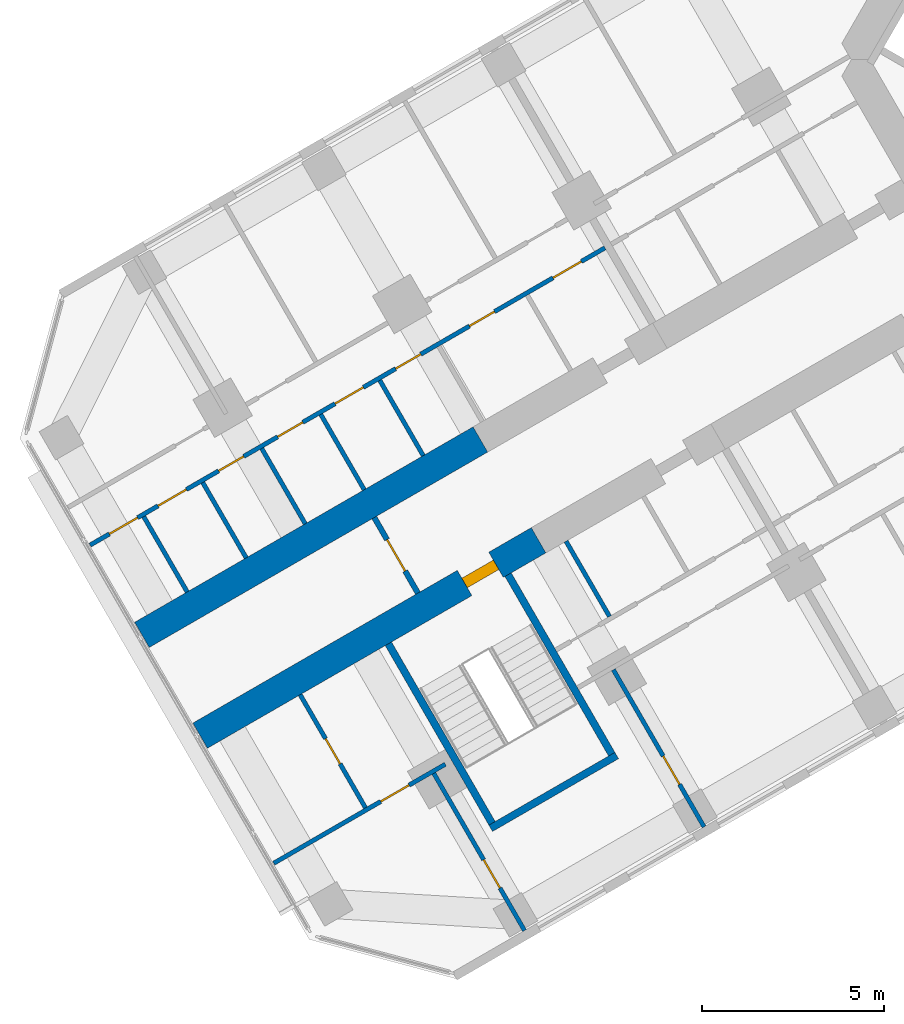
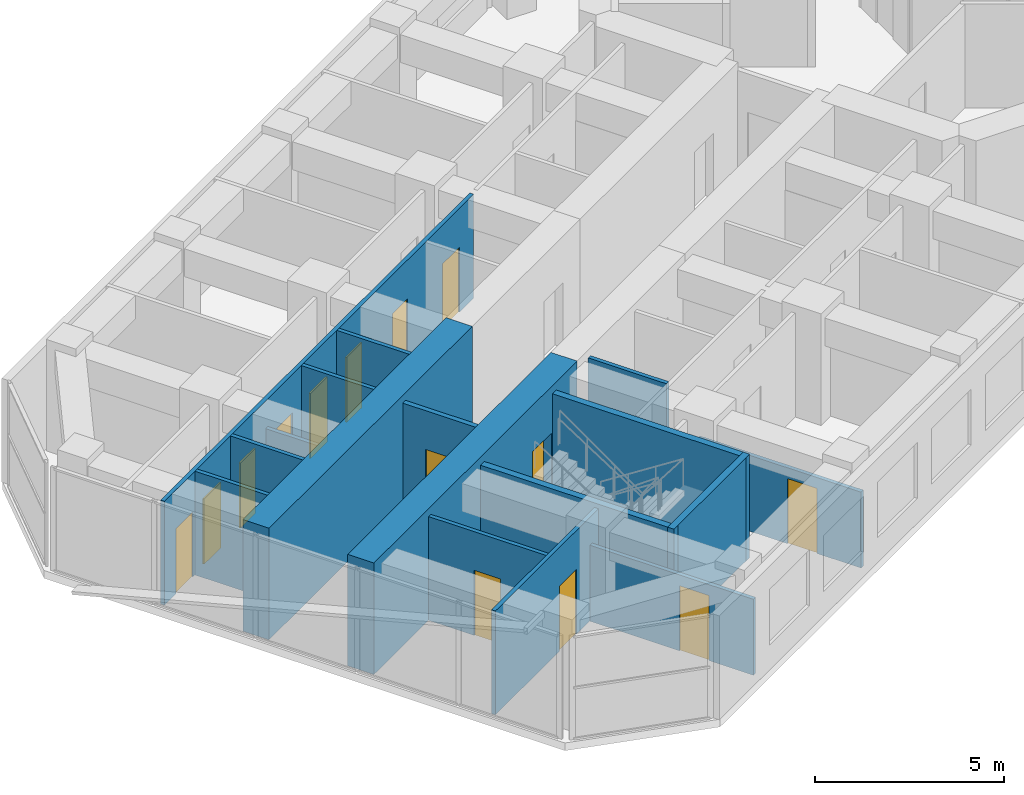
# One storey, part 10 of 19: 17 walls, 14 doors, 14 openings.
"""IFC4 building model written with IfcOpenShell, lengths in metres."""

from ifc_helpers import new_model, si_unit, direction, frame, frame_2d, origin, place, context, subcontext, project, spatial, rectangle, extrude, material, layer, layer_set, type_object, element, fill, save


model = new_model("IFC4")

# Units and contexts
model_context = context("Model", 3, precision=1e-05, world=origin(), true_north=direction((0.0, 1.0)))
body_context = subcontext(model_context, "Body", "Model", "MODEL_VIEW")
ifc_project = project(units=[si_unit("LENGTHUNIT", "METRE"), si_unit("AREAUNIT", "SQUARE_METRE"), si_unit("VOLUMEUNIT", "CUBIC_METRE"), si_unit("PLANEANGLEUNIT", "RADIAN"), si_unit("MASSUNIT", "GRAM", prefix="KILO")], contexts=[model_context])

# Site, building, storey
site_placement = place(None, origin())
site = spatial("IfcSite", under=ifc_project, at=site_placement, CompositionType="ELEMENT")
building_placement = place(site_placement, origin())
building = spatial("IfcBuilding", under=site, at=building_placement, Name="Kosmar Iwan School Tower", CompositionType="ELEMENT")
storey_placement = place(building_placement, frame((0.0, 0.0, 161.60009765625)))
storey = spatial("IfcBuildingStorey", under=building, at=storey_placement, Name="L40", CompositionType="ELEMENT", Elevation=161.60009765625)

# Wall, opening, door
ifc_material_1 = material(Name="Concrete C50/60", Category="concrete")
ifc_layer_1 = layer(ifc_material_1, 0.800048828125)
ifc_layer_set_1 = layer_set([ifc_layer_1], Name="Corridor buttress wall 800")
wall_type_1 = type_object("IfcWallType", Name="Corridor buttress wall 800", PredefinedType="SHEAR", material=ifc_layer_set_1)
wall_1_placement = place(storey_placement, frame((-19.681396484375, -13.210693359375, 0.0), z_axis=(0.0, 0.0, 1.0), x_axis=(-0.866028186671, -0.499995179869, 0.0)))
wall_1 = element("IfcWall", 1, at=wall_1_placement, inside=storey, type_object=wall_type_1, Name="Corridor wall BL bay 3", PredefinedType="SHEAR", context=body_context, shape_type="SweptSolid", body=[
    extrude(rectangle(XDim=10.7451171875, YDim=0.800048828125, at=frame_2d((5.37255859375, 0.0))), origin(), (0.0, 0.0, 1.0), 3.599853515625),
])
opening_1_placement = place(wall_1_placement, frame((1.35009765625, 0.0, 0.0)))
opening_1 = element("IfcOpeningElement", 2, at=opening_1_placement, cuts=wall_1, Name="Opening D6", PredefinedType="OPENING", context=body_context, shape_type="SweptSolid", body=[
    extrude(rectangle(XDim=1.0, YDim=2.10009765625, at=frame_2d((0.5, 1.050048828125))), frame((0.0, 0.412109375, 0.0), z_axis=(0.0, -1.0, 0.0), x_axis=(1.0, 0.0, 0.0)), (0.0, 0.0, 1.0), 0.823974609375),
])
ifc_material_2 = material(Name="Steel fire door", Category="steel")
door_type_1 = type_object("IfcDoorType", Name="Stair door 1000x2100", OperationType="SINGLE_SWING_LEFT", PredefinedType="DOOR", material=ifc_material_2)
door_1_placement = place(opening_1_placement, origin())
door_1 = element("IfcDoor", 3, at=door_1_placement, inside=storey, type_object=door_type_1, Name="Stair WS2 door L40", OperationType="SINGLE_SWING_LEFT", OverallHeight=2.10009765625, OverallWidth=1.0, PredefinedType="DOOR", context=body_context, shape_type="SweptSolid", body=[
    extrude(rectangle(XDim=1.0, YDim=2.10009765625, at=frame_2d((0.5, 1.050048828125))), frame((0.0, 0.14990234375, 0.0), z_axis=(0.0, -1.0, 0.0), x_axis=(1.0, 0.0, 0.0)), (0.0, 0.0, 1.0), 0.300048828125),
])
fill(opening_1, door_1)

# Wall
wall_2_placement = place(storey_placement, frame((-21.281494140625, -10.439453125, 0.0), z_axis=(0.0, 0.0, 1.0), x_axis=(-0.866032345022, -0.499987977232, 0.0)))
element("IfcWall", 4, at=wall_2_placement, inside=storey, type_object=wall_type_1, Name="Corridor wall BR bay 3", PredefinedType="SHEAR", context=body_context, shape_type="SweptSolid", body=[
    extrude(rectangle(XDim=10.744873046875, YDim=0.800048828125, at=frame_2d((5.37255859375, 0.0))), origin(), (0.0, 0.0, 1.0), 3.599853515625),
])

# Wall, opening, door
ifc_material_3 = material(Name="Gypsum board on steel studs, fire-rated", Category="steel")
ifc_layer_2 = layer(ifc_material_3, 0.14990234375)
ifc_layer_set_2 = layer_set([ifc_layer_2], Name="Corridor end wall 150")
wall_type_2 = type_object("IfcWallType", Name="Corridor end wall 150", PredefinedType="PARTITIONING", material=ifc_layer_set_2)
wall_3_placement = place(storey_placement, frame((-24.19921875, -12.585693359375, 0.0), z_axis=(0.0, 0.0, 1.0), x_axis=(0.499957262057, -0.866050077142, 0.0)))
wall_3 = element("IfcWall", 5, at=wall_3_placement, inside=storey, type_object=wall_type_2, Name="Partition L40-B-CE", PredefinedType="PARTITIONING", context=body_context, shape_type="SweptSolid", body=[
    extrude(rectangle(XDim=2.400146484375, YDim=0.14990234375, at=frame_2d((1.2001953125, 0.0))), origin(), (0.0, 0.0, 1.0), 3.349853515625),
])
opening_2_placement = place(wall_3_placement, frame((0.699951171875, 0.0, 0.0)))
opening_2 = element("IfcOpeningElement", 6, at=opening_2_placement, cuts=wall_3, Name="Opening D13", PredefinedType="OPENING", context=body_context, shape_type="SweptSolid", body=[
    extrude(rectangle(XDim=1.0, YDim=2.10009765625, at=frame_2d((0.5, 1.050048828125))), frame((0.0, 0.0869140625, 0.0), z_axis=(0.0, -1.0, 0.0), x_axis=(1.0, 0.0, 0.0)), (0.0, 0.0, 1.0), 0.173828125),
])
ifc_material_4 = material(Name="Timber fire door with vision panel", Category="wood")
door_type_2 = type_object("IfcDoorType", Name="Corridor end door 1000x2100", OperationType="SINGLE_SWING_LEFT", PredefinedType="DOOR", material=ifc_material_4)
door_2_placement = place(opening_2_placement, origin())
door_2 = element("IfcDoor", 7, at=door_2_placement, inside=storey, type_object=door_type_2, Name="Laundry and drying room door L40-B", OperationType="SINGLE_SWING_RIGHT", OverallHeight=2.10009765625, OverallWidth=1.0, PredefinedType="DOOR", context=body_context, shape_type="SweptSolid", body=[
    extrude(rectangle(XDim=1.0, YDim=2.10009765625, at=frame_2d((0.5, 1.050048828125))), frame((0.0, 0.02490234375, 0.0), z_axis=(0.0, -1.0, 0.0), x_axis=(1.0, 0.0, 0.0)), (0.0, 0.0, 1.0), 0.050048828125),
])
fill(opening_2, door_2)

# Wall
ifc_material_5 = material(Name="Gypsum board on steel studs", Category="steel")
ifc_layer_3 = layer(ifc_material_5, 0.1201171875)
ifc_layer_set_3 = layer_set([ifc_layer_3], Name="Dwelling partition 120")
wall_type_3 = type_object("IfcWallType", Name="Dwelling partition 120", PredefinedType="PARTITIONING", material=ifc_layer_set_3)
wall_4_placement = place(storey_placement, frame((-18.92724609375, -13.237060546875, 0.0), z_axis=(0.0, 0.0, 1.0), x_axis=(0.500017192868, -0.86601547725, 0.0)))
element("IfcWall", 8, at=wall_4_placement, inside=storey, type_object=wall_type_3, Name="Partition L40-BL2-Y2", PredefinedType="PARTITIONING", context=body_context, shape_type="SweptSolid", body=[
    extrude(rectangle(XDim=2.39013671875, YDim=0.1201171875, at=frame_2d((1.195068359375, 0.0))), origin(), (0.0, 0.0, 1.0), 3.349853515625),
])

# Wall, opening, door
wall_5_placement = place(storey_placement, frame((-17.62646484375, -16.77001953125, 0.0), z_axis=(0.0, 0.0, 1.0), x_axis=(0.499975153383, -0.86603974851, 0.0)))
wall_5 = element("IfcWall", 9, at=wall_5_placement, inside=storey, type_object=wall_type_3, Name="Partition L40-BL2-TB", PredefinedType="PARTITIONING", context=body_context, shape_type="SweptSolid", body=[
    extrude(rectangle(XDim=4.989990234375, YDim=0.1201171875, at=frame_2d((2.4951171875, 0.0))), origin(), (0.0, 0.0, 1.0), 2.449951171875),
])
opening_3_placement = place(wall_5_placement, frame((2.739990234375, 0.0, 0.0)))
opening_3 = element("IfcOpeningElement", 10, at=opening_3_placement, cuts=wall_5, Name="Opening D2", PredefinedType="OPENING", context=body_context, shape_type="SweptSolid", body=[
    extrude(rectangle(XDim=0.89990234375, YDim=2.10009765625, at=frame_2d((0.449951171875, 1.050048828125))), frame((0.0, 0.072021484375, 0.0), z_axis=(0.0, -1.0, 0.0), x_axis=(1.0, 0.0, 0.0)), (0.0, 0.0, 1.0), 0.14404296875),
])
ifc_material_6 = material(Name="Timber door in timber frame", Category="wood")
door_type_3 = type_object("IfcDoorType", Name="Internal door 900x2100", OperationType="SINGLE_SWING_LEFT", PredefinedType="DOOR", material=ifc_material_6)
door_3_placement = place(opening_3_placement, origin())
door_3 = element("IfcDoor", 11, at=door_3_placement, inside=storey, type_object=door_type_3, Name="Study door L40-BL2-F1", OperationType="SINGLE_SWING_RIGHT", OverallHeight=2.10009765625, OverallWidth=0.89990234375, PredefinedType="DOOR", context=body_context, shape_type="SweptSolid", body=[
    extrude(rectangle(XDim=0.89990234375, YDim=2.10009765625, at=frame_2d((0.449951171875, 1.050048828125))), frame((0.0, 0.02490234375, 0.0), z_axis=(0.0, -1.0, 0.0), x_axis=(1.0, 0.0, 0.0)), (0.0, 0.0, 1.0), 0.050048828125),
])
fill(opening_3, door_3)

wall_6_placement = place(storey_placement, frame((-22.562744140625, -19.6201171875, 0.0), z_axis=(0.0, 0.0, 1.0), x_axis=(0.499996339024, -0.86602751744, 0.0)))
wall_6 = element("IfcWall", 12, at=wall_6_placement, inside=storey, type_object=wall_type_3, Name="Partition L40-BL2-TX", PredefinedType="PARTITIONING", context=body_context, shape_type="SweptSolid", body=[
    extrude(rectangle(XDim=4.98974609375, YDim=0.1201171875, at=frame_2d((2.494873046875, 0.0))), origin(), (0.0, 0.0, 1.0), 2.449951171875),
])
opening_4_placement = place(wall_6_placement, frame((2.739990234375, 0.0, 0.0)))
opening_4 = element("IfcOpeningElement", 13, at=opening_4_placement, cuts=wall_6, Name="Opening D2", PredefinedType="OPENING", context=body_context, shape_type="SweptSolid", body=[
    extrude(rectangle(XDim=0.89990234375, YDim=2.10009765625, at=frame_2d((0.449951171875, 1.050048828125))), frame((0.0, 0.072021484375, 0.0), z_axis=(0.0, -1.0, 0.0), x_axis=(1.0, 0.0, 0.0)), (0.0, 0.0, 1.0), 0.14404296875),
])
door_4_placement = place(opening_4_placement, origin())
door_4 = element("IfcDoor", 14, at=door_4_placement, inside=storey, type_object=door_type_3, Name="Study door L40-BL2-T1", OperationType="SINGLE_SWING_RIGHT", OverallHeight=2.10009765625, OverallWidth=0.89990234375, PredefinedType="DOOR", context=body_context, shape_type="SweptSolid", body=[
    extrude(rectangle(XDim=0.89990234375, YDim=2.10009765625, at=frame_2d((0.449951171875, 1.050048828125))), frame((0.0, 0.02490234375, 0.0), z_axis=(0.0, -1.0, 0.0), x_axis=(1.0, 0.0, 0.0)), (0.0, 0.0, 1.0), 0.050048828125),
])
fill(opening_4, door_4)

wall_7_placement = place(storey_placement, frame((-22.246337890625, -19.3681640625, 0.0), z_axis=(0.0, 0.0, 1.0), x_axis=(-0.866035508231, -0.499982498177, 0.0)))
wall_7 = element("IfcWall", 15, at=wall_7_placement, inside=storey, type_object=wall_type_3, Name="Partition L40-BL2-TW", PredefinedType="PARTITIONING", context=body_context, shape_type="SweptSolid", body=[
    extrude(rectangle(XDim=5.445068359375, YDim=0.1201171875, at=frame_2d((2.72265625, 0.0))), origin(), (0.0, 0.0, 1.0), 3.349853515625),
])
opening_5_placement = place(wall_7_placement, frame((1.14990234375, 0.0, 0.0)))
opening_5 = element("IfcOpeningElement", 16, at=opening_5_placement, cuts=wall_7, Name="Opening D2", PredefinedType="OPENING", context=body_context, shape_type="SweptSolid", body=[
    extrude(rectangle(XDim=0.89990234375, YDim=2.10009765625, at=frame_2d((0.449951171875, 1.050048828125))), frame((0.0, 0.072021484375, 0.0), z_axis=(0.0, -1.0, 0.0), x_axis=(1.0, 0.0, 0.0)), (0.0, 0.0, 1.0), 0.14404296875),
])
door_5_placement = place(opening_5_placement, origin())
door_5 = element("IfcDoor", 17, at=door_5_placement, inside=storey, type_object=door_type_3, Name="Dressing room door L40-BL2-T3", OperationType="SINGLE_SWING_LEFT", OverallHeight=2.10009765625, OverallWidth=0.89990234375, PredefinedType="DOOR", context=body_context, shape_type="SweptSolid", body=[
    extrude(rectangle(XDim=0.89990234375, YDim=2.10009765625, at=frame_2d((0.449951171875, 1.050048828125))), frame((0.0, 0.02490234375, 0.0), z_axis=(0.0, -1.0, 0.0), x_axis=(1.0, 0.0, 0.0)), (0.0, 0.0, 1.0), 0.050048828125),
])
fill(opening_5, door_5)

wall_8_placement = place(storey_placement, frame((-26.236572265625, -17.45703125, 0.0), z_axis=(0.0, 0.0, 1.0), x_axis=(0.50002266109, -0.866012320003, 0.0)))
wall_8 = element("IfcWall", 18, at=wall_8_placement, inside=storey, type_object=wall_type_3, Name="Partition L40-BL2-TY", PredefinedType="PARTITIONING", context=body_context, shape_type="SweptSolid", body=[
    extrude(rectangle(XDim=3.590087890625, YDim=0.1201171875, at=frame_2d((1.794921875, 0.0))), origin(), (0.0, 0.0, 1.0), 3.349853515625),
])
opening_6_placement = place(wall_8_placement, frame((1.39501953125, 0.0, 0.0)))
opening_6 = element("IfcOpeningElement", 19, at=opening_6_placement, cuts=wall_8, Name="Opening D3", PredefinedType="OPENING", context=body_context, shape_type="SweptSolid", body=[
    extrude(rectangle(XDim=0.800048828125, YDim=2.10009765625, at=frame_2d((0.39990234375, 1.050048828125))), frame((0.0, 0.072021484375, 0.0), z_axis=(0.0, -1.0, 0.0), x_axis=(1.0, 0.0, 0.0)), (0.0, 0.0, 1.0), 0.14404296875),
])
ifc_material_7 = material(Name="Timber door in timber frame", Category="wood")
door_type_4 = type_object("IfcDoorType", Name="Sanitary room door 800x2100", OperationType="SINGLE_SWING_LEFT", PredefinedType="DOOR", material=ifc_material_7)
door_6_placement = place(opening_6_placement, origin())
door_6 = element("IfcDoor", 20, at=door_6_placement, inside=storey, type_object=door_type_4, Name="Shower room door L40-BL2-T4", OperationType="SINGLE_SWING_LEFT", OverallHeight=2.10009765625, OverallWidth=0.800048828125, PredefinedType="DOOR", context=body_context, shape_type="SweptSolid", body=[
    extrude(rectangle(XDim=0.800048828125, YDim=2.10009765625, at=frame_2d((0.39990234375, 1.050048828125))), frame((0.0, 0.02490234375, 0.0), z_axis=(0.0, -1.0, 0.0), x_axis=(1.0, 0.0, 0.0)), (0.0, 0.0, 1.0), 0.050048828125),
])
fill(opening_6, door_6)

# Wall, openings, doors
wall_9_placement = place(storey_placement, frame((-17.856689453125, -5.171142578125, 0.0), z_axis=(0.0, 0.0, 1.0), x_axis=(-0.866023907196, -0.500002592159, 0.0)))
wall_9 = element("IfcWall", 21, at=wall_9_placement, inside=storey, type_object=wall_type_3, Name="Partition L40-BR2-W1", PredefinedType="PARTITIONING", context=body_context, shape_type="SweptSolid", body=[
    extrude(rectangle(XDim=16.34521484375, YDim=0.1201171875, at=frame_2d((8.172607421875, 0.0))), origin(), (0.0, 0.0, 1.0), 3.349853515625),
])
opening_7_placement = place(wall_9_placement, frame((0.75, 0.0, 0.0)))
opening_7 = element("IfcOpeningElement", 22, at=opening_7_placement, cuts=wall_9, Name="Opening D2", PredefinedType="OPENING", context=body_context, shape_type="SweptSolid", body=[
    extrude(rectangle(XDim=0.89990234375, YDim=2.10009765625, at=frame_2d((0.449951171875, 1.050048828125))), frame((0.0, 0.072021484375, 0.0), z_axis=(0.0, -1.0, 0.0), x_axis=(1.0, 0.0, 0.0)), (0.0, 0.0, 1.0), 0.14404296875),
])
opening_8_placement = place(wall_9_placement, frame((3.505126953125, 0.0, 0.0)))
opening_8 = element("IfcOpeningElement", 23, at=opening_8_placement, cuts=wall_9, Name="Opening D3", PredefinedType="OPENING", context=body_context, shape_type="SweptSolid", body=[
    extrude(rectangle(XDim=0.800048828125, YDim=2.10009765625, at=frame_2d((0.39990234375, 1.050048828125))), frame((0.0, 0.072021484375, 0.0), z_axis=(0.0, -1.0, 0.0), x_axis=(1.0, 0.0, 0.0)), (0.0, 0.0, 1.0), 0.14404296875),
])
opening_9_placement = place(wall_9_placement, frame((5.8466796875, 0.0, 0.0)))
opening_9 = element("IfcOpeningElement", 24, at=opening_9_placement, cuts=wall_9, Name="Opening D3", PredefinedType="OPENING", context=body_context, shape_type="SweptSolid", body=[
    extrude(rectangle(XDim=0.800048828125, YDim=2.10009765625, at=frame_2d((0.39990234375, 1.050048828125))), frame((0.0, 0.072021484375, 0.0), z_axis=(0.0, -1.0, 0.0), x_axis=(1.0, 0.0, 0.0)), (0.0, 0.0, 1.0), 0.14404296875),
])
opening_10_placement = place(wall_9_placement, frame((7.669921875, 0.0, 0.0)))
opening_10 = element("IfcOpeningElement", 25, at=opening_10_placement, cuts=wall_9, Name="Opening D2", PredefinedType="OPENING", context=body_context, shape_type="SweptSolid", body=[
    extrude(rectangle(XDim=0.89990234375, YDim=2.10009765625, at=frame_2d((0.449951171875, 1.050048828125))), frame((0.0, 0.072021484375, 0.0), z_axis=(0.0, -1.0, 0.0), x_axis=(1.0, 0.0, 0.0)), (0.0, 0.0, 1.0), 0.14404296875),
])
opening_11_placement = place(wall_9_placement, frame((9.59326171875, 0.0, 0.0)))
opening_11 = element("IfcOpeningElement", 26, at=opening_11_placement, cuts=wall_9, Name="Opening D3", PredefinedType="OPENING", context=body_context, shape_type="SweptSolid", body=[
    extrude(rectangle(XDim=0.800048828125, YDim=2.10009765625, at=frame_2d((0.39990234375, 1.050048828125))), frame((0.0, 0.072021484375, 0.0), z_axis=(0.0, -1.0, 0.0), x_axis=(1.0, 0.0, 0.0)), (0.0, 0.0, 1.0), 0.14404296875),
])
opening_12_placement = place(wall_9_placement, frame((11.466796875, 0.0, 0.0)))
opening_12 = element("IfcOpeningElement", 27, at=opening_12_placement, cuts=wall_9, Name="Opening D3", PredefinedType="OPENING", context=body_context, shape_type="SweptSolid", body=[
    extrude(rectangle(XDim=0.800048828125, YDim=2.10009765625, at=frame_2d((0.39990234375, 1.050048828125))), frame((0.0, 0.072021484375, 0.0), z_axis=(0.0, -1.0, 0.0), x_axis=(1.0, 0.0, 0.0)), (0.0, 0.0, 1.0), 0.14404296875),
])
opening_13_placement = place(wall_9_placement, frame((13.2900390625, 0.0, 0.0)))
opening_13 = element("IfcOpeningElement", 28, at=opening_13_placement, cuts=wall_9, Name="Opening D2", PredefinedType="OPENING", context=body_context, shape_type="SweptSolid", body=[
    extrude(rectangle(XDim=0.89990234375, YDim=2.10009765625, at=frame_2d((0.449951171875, 1.050048828125))), frame((0.0, 0.072021484375, 0.0), z_axis=(0.0, -1.0, 0.0), x_axis=(1.0, 0.0, 0.0)), (0.0, 0.0, 1.0), 0.14404296875),
])
opening_14_placement = place(wall_9_placement, frame((14.836669921875, 0.0, 0.0)))
opening_14 = element("IfcOpeningElement", 29, at=opening_14_placement, cuts=wall_9, Name="Opening D2", PredefinedType="OPENING", context=body_context, shape_type="SweptSolid", body=[
    extrude(rectangle(XDim=0.89990234375, YDim=2.10009765625, at=frame_2d((0.449951171875, 1.050048828125))), frame((0.0, 0.072021484375, 0.0), z_axis=(0.0, -1.0, 0.0), x_axis=(1.0, 0.0, 0.0)), (0.0, 0.0, 1.0), 0.14404296875),
])
door_7_placement = place(opening_7_placement, origin())
door_7 = element("IfcDoor", 30, at=door_7_placement, inside=storey, type_object=door_type_3, Name="Entrance hall door L40-BR2-S1", OperationType="SINGLE_SWING_RIGHT", OverallHeight=2.10009765625, OverallWidth=0.89990234375, PredefinedType="DOOR", context=body_context, shape_type="SweptSolid", body=[
    extrude(rectangle(XDim=0.89990234375, YDim=2.10009765625, at=frame_2d((0.449951171875, 1.050048828125))), frame((0.0, 0.02490234375, 0.0), z_axis=(0.0, -1.0, 0.0), x_axis=(1.0, 0.0, 0.0)), (0.0, 0.0, 1.0), 0.050048828125),
])
fill(opening_7, door_7)
door_8_placement = place(opening_10_placement, origin())
door_8 = element("IfcDoor", 31, at=door_8_placement, inside=storey, type_object=door_type_3, Name="Pantry door L40-BR2-S4", OperationType="SINGLE_SWING_LEFT", OverallHeight=2.10009765625, OverallWidth=0.89990234375, PredefinedType="DOOR", context=body_context, shape_type="SweptSolid", body=[
    extrude(rectangle(XDim=0.89990234375, YDim=2.10009765625, at=frame_2d((0.449951171875, 1.050048828125))), frame((0.0, 0.02490234375, 0.0), z_axis=(0.0, -1.0, 0.0), x_axis=(1.0, 0.0, 0.0)), (0.0, 0.0, 1.0), 0.050048828125),
])
fill(opening_10, door_8)
door_9_placement = place(opening_13_placement, origin())
door_9 = element("IfcDoor", 32, at=door_9_placement, inside=storey, type_object=door_type_3, Name="Utility room door L40-BR2-S7", OperationType="SINGLE_SWING_RIGHT", OverallHeight=2.10009765625, OverallWidth=0.89990234375, PredefinedType="DOOR", context=body_context, shape_type="SweptSolid", body=[
    extrude(rectangle(XDim=0.89990234375, YDim=2.10009765625, at=frame_2d((0.449951171875, 1.050048828125))), frame((0.0, 0.02490234375, 0.0), z_axis=(0.0, -1.0, 0.0), x_axis=(1.0, 0.0, 0.0)), (0.0, 0.0, 1.0), 0.050048828125),
])
fill(opening_13, door_9)
door_10_placement = place(opening_14_placement, origin())
door_10 = element("IfcDoor", 33, at=door_10_placement, inside=storey, type_object=door_type_3, Name="Dressing room door L40-BR2-S8", OperationType="SINGLE_SWING_LEFT", OverallHeight=2.10009765625, OverallWidth=0.89990234375, PredefinedType="DOOR", context=body_context, shape_type="SweptSolid", body=[
    extrude(rectangle(XDim=0.89990234375, YDim=2.10009765625, at=frame_2d((0.449951171875, 1.050048828125))), frame((0.0, 0.02490234375, 0.0), z_axis=(0.0, -1.0, 0.0), x_axis=(1.0, 0.0, 0.0)), (0.0, 0.0, 1.0), 0.050048828125),
])
fill(opening_14, door_10)
door_11_placement = place(opening_8_placement, origin())
door_11 = element("IfcDoor", 34, at=door_11_placement, inside=storey, type_object=door_type_4, Name="Bathroom door L40-BR2-S2", OperationType="SINGLE_SWING_LEFT", OverallHeight=2.10009765625, OverallWidth=0.800048828125, PredefinedType="DOOR", context=body_context, shape_type="SweptSolid", body=[
    extrude(rectangle(XDim=0.800048828125, YDim=2.10009765625, at=frame_2d((0.39990234375, 1.050048828125))), frame((0.0, 0.02490234375, 0.0), z_axis=(0.0, -1.0, 0.0), x_axis=(1.0, 0.0, 0.0)), (0.0, 0.0, 1.0), 0.050048828125),
])
fill(opening_8, door_11)
door_12_placement = place(opening_9_placement, origin())
door_12 = element("IfcDoor", 35, at=door_12_placement, inside=storey, type_object=door_type_4, Name="Shower room door L40-BR2-S3", OperationType="SINGLE_SWING_RIGHT", OverallHeight=2.10009765625, OverallWidth=0.800048828125, PredefinedType="DOOR", context=body_context, shape_type="SweptSolid", body=[
    extrude(rectangle(XDim=0.800048828125, YDim=2.10009765625, at=frame_2d((0.39990234375, 1.050048828125))), frame((0.0, 0.02490234375, 0.0), z_axis=(0.0, -1.0, 0.0), x_axis=(1.0, 0.0, 0.0)), (0.0, 0.0, 1.0), 0.050048828125),
])
fill(opening_9, door_12)
door_13_placement = place(opening_11_placement, origin())
door_13 = element("IfcDoor", 36, at=door_13_placement, inside=storey, type_object=door_type_4, Name="WC door L40-BR2-S5", OperationType="SINGLE_SWING_RIGHT", OverallHeight=2.10009765625, OverallWidth=0.800048828125, PredefinedType="DOOR", context=body_context, shape_type="SweptSolid", body=[
    extrude(rectangle(XDim=0.800048828125, YDim=2.10009765625, at=frame_2d((0.39990234375, 1.050048828125))), frame((0.0, 0.02490234375, 0.0), z_axis=(0.0, -1.0, 0.0), x_axis=(1.0, 0.0, 0.0)), (0.0, 0.0, 1.0), 0.050048828125),
])
fill(opening_11, door_13)
door_14_placement = place(opening_12_placement, origin())
door_14 = element("IfcDoor", 37, at=door_14_placement, inside=storey, type_object=door_type_4, Name="Store door L40-BR2-S6", OperationType="SINGLE_SWING_LEFT", OverallHeight=2.10009765625, OverallWidth=0.800048828125, PredefinedType="DOOR", context=body_context, shape_type="SweptSolid", body=[
    extrude(rectangle(XDim=0.800048828125, YDim=2.10009765625, at=frame_2d((0.39990234375, 1.050048828125))), frame((0.0, 0.02490234375, 0.0), z_axis=(0.0, -1.0, 0.0), x_axis=(1.0, 0.0, 0.0)), (0.0, 0.0, 1.0), 0.050048828125),
])
fill(opening_12, door_14)

# Walls
wall_10_placement = place(storey_placement, frame((-22.852783203125, -10.884521484375, 0.0), z_axis=(0.0, 0.0, 1.0), x_axis=(-0.499940577336, 0.866059708757, 0.0)))
element("IfcWall", 38, at=wall_10_placement, inside=storey, type_object=wall_type_3, Name="Partition L40-BR2-Y3", PredefinedType="PARTITIONING", context=body_context, shape_type="SweptSolid", body=[
    extrude(rectangle(XDim=2.389892578125, YDim=0.1201171875, at=frame_2d((1.19482421875, 0.0))), origin(), (0.0, 0.0, 1.0), 3.349853515625),
])
wall_11_placement = place(storey_placement, frame((-24.47509765625, -11.8212890625, 0.0), z_axis=(0.0, 0.0, 1.0), x_axis=(-0.500017192868, 0.86601547725, 0.0)))
element("IfcWall", 39, at=wall_11_placement, inside=storey, type_object=wall_type_3, Name="Partition L40-BR2-Y4", PredefinedType="PARTITIONING", context=body_context, shape_type="SweptSolid", body=[
    extrude(rectangle(XDim=2.39013671875, YDim=0.1201171875, at=frame_2d((1.195068359375, 0.0))), origin(), (0.0, 0.0, 1.0), 3.349853515625),
])
wall_12_placement = place(storey_placement, frame((-26.097412109375, -12.758056640625, 0.0), z_axis=(0.0, 0.0, 1.0), x_axis=(-0.500017192868, 0.86601547725, 0.0)))
element("IfcWall", 40, at=wall_12_placement, inside=storey, type_object=wall_type_3, Name="Partition L40-BR2-Y5", PredefinedType="PARTITIONING", context=body_context, shape_type="SweptSolid", body=[
    extrude(rectangle(XDim=2.39013671875, YDim=0.1201171875, at=frame_2d((1.195068359375, 0.0))), origin(), (0.0, 0.0, 1.0), 2.449951171875),
])
for number, where, z_axis, x_axis, name in (
    (41, (-27.7197265625, -13.694580078125, 0.0), (0.0, 0.0, 1.0), (-0.500017192868, 0.86601547725, 0.0), "Partition L40-BR2-Y6"),
    (42, (-29.342041015625, -14.63134765625, 0.0), (0.0, 0.0, 1.0), (-0.500017192868, 0.86601547725, 0.0), "Partition L40-BR2-Y7"),
):
    element("IfcWall", number, at=place(storey_placement, frame(where, z_axis=z_axis, x_axis=x_axis)), inside=storey, type_object=wall_type_3, Name=name, PredefinedType="PARTITIONING", context=body_context, shape_type="SweptSolid", body=[
        extrude(rectangle(XDim=2.39013671875, YDim=0.1201171875, at=frame_2d((1.195068359375, 0.0))), origin(), (0.0, 0.0, 1.0), 3.349853515625),
    ])
ifc_material_8 = material(Name="Concrete C35/45", Category="concrete")
ifc_layer_4 = layer(ifc_material_8, 0.199951171875)
ifc_layer_set_4 = layer_set([ifc_layer_4], Name="Escape stair wall 200")
wall_type_4 = type_object("IfcWallType", Name="Escape stair wall 200", PredefinedType="SHEAR", material=ifc_layer_set_4)
wall_13_placement = place(storey_placement, frame((-20.520751953125, -14.156982421875, 0.0), z_axis=(0.0, 0.0, 1.0), x_axis=(0.499988710057, -0.866031921938, 0.0)))
element("IfcWall", 43, at=wall_13_placement, inside=storey, type_object=wall_type_4, Name="Stair WS2 wall", PredefinedType="SHEAR", context=body_context, shape_type="SweptSolid", body=[
    extrude(rectangle(XDim=5.900146484375, YDim=0.199951171875, at=frame_2d((2.9501953125, 0.0))), origin(), (0.0, 0.0, 1.0), 3.329833984375),
])
wall_14_placement = place(storey_placement, frame((-23.8115234375, -16.05712890625, 0.0), z_axis=(0.0, 0.0, 1.0), x_axis=(0.500006628179, -0.86602157697, 0.0)))
element("IfcWall", 44, at=wall_14_placement, inside=storey, type_object=wall_type_4, Name="Stair WS2 wall", PredefinedType="SHEAR", context=body_context, shape_type="SweptSolid", body=[
    extrude(rectangle(XDim=5.89990234375, YDim=0.199951171875, at=frame_2d((2.949951171875, 0.0))), origin(), (0.0, 0.0, 1.0), 3.329833984375),
])
wall_15_placement = place(storey_placement, frame((-17.5341796875, -19.1298828125, 0.0), z_axis=(0.0, 0.0, 1.0), x_axis=(-0.866026010844, -0.49999894854, 0.0)))
element("IfcWall", 45, at=wall_15_placement, inside=storey, type_object=wall_type_4, Name="Stair WS2 wall", PredefinedType="SHEAR", context=body_context, shape_type="SweptSolid", body=[
    extrude(rectangle(XDim=4.0, YDim=0.199951171875, at=frame_2d((2.0, 0.0))), origin(), (0.0, 0.0, 1.0), 3.329833984375),
])

save(model, "model.ifc")
